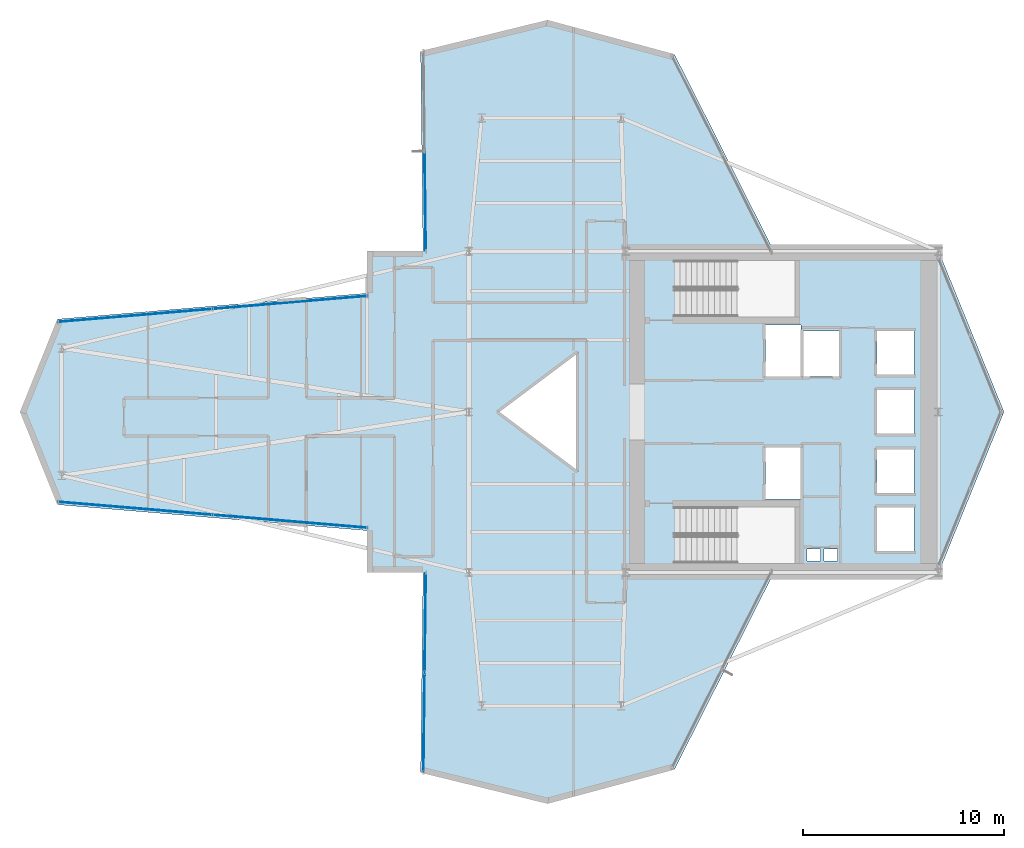
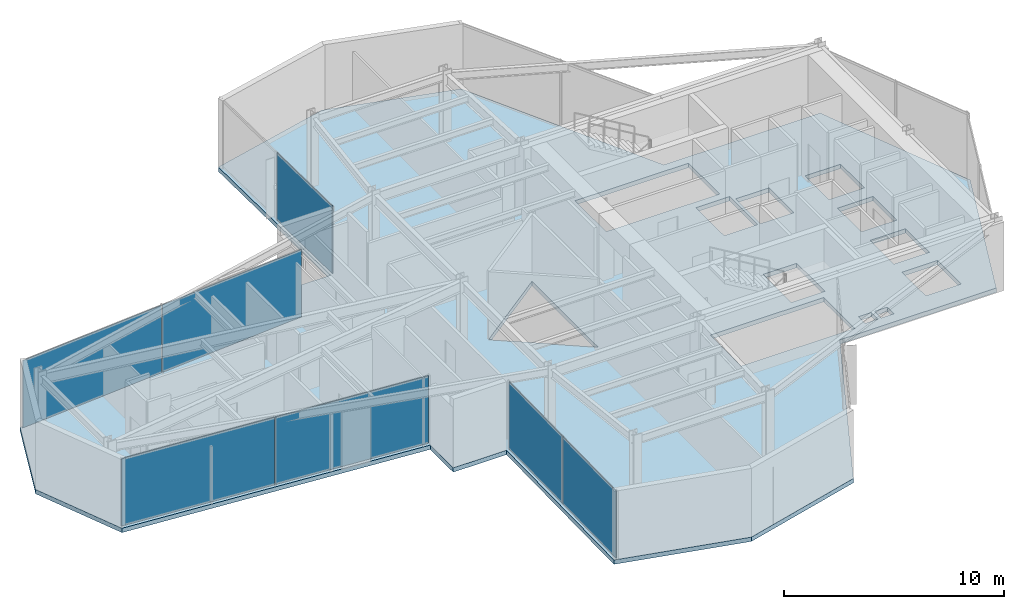
# One storey, part 20 of 25: 7 plates, 1 slab, 4 elements without a shape of their own.
"""IFC4 building model written with IfcOpenShell, lengths in metres."""

import ifcopenshell
import ifcopenshell.guid

model = None  # the IFC model being written
_history = None  # IfcOwnerHistory: only IFC2X3 demands one
_inside = {}  # id of a spatial element -> (the spatial element, [elements in it])
_under = {}  # id of a project, library or spatial element -> (it, [spatial elements below it])
_declared = {}  # id of a project -> (the project, [libraries it declares])
_typed = {}  # id of a type object -> (the type object, [elements of that type])
_made_of = {}  # id of a material, layer set ... -> (it, [elements and type objects made of it])


def new_model(schema):
    """Start an empty IFC model of exactly this schema.

    Asked for "IFC4X3", IfcOpenShell would pick the latest addendum, in which some entities
    have other attributes; the version numbers below select the first issue.
    IFC2X3 requires an IfcOwnerHistory on every rooted entity: one is made here for all.
    """
    global model, _history
    if schema == "IFC4X3":
        model = ifcopenshell.file(schema_version=(4, 3, 0, 0))
    else:
        model = ifcopenshell.file(schema=schema)
    _inside.clear()
    _under.clear()
    _declared.clear()
    _typed.clear()
    _made_of.clear()
    _history = None
    if model.schema == "IFC2X3":
        org = make("IfcOrganization", Name="unknown")
        user = make(
            "IfcPersonAndOrganization",
            ThePerson=make("IfcPerson", FamilyName="unknown"),
            TheOrganization=org,
        )
        app = make(
            "IfcApplication",
            ApplicationDeveloper=org,
            Version="unknown",
            ApplicationFullName="unknown",
            ApplicationIdentifier="unknown",
        )
        _history = make(
            "IfcOwnerHistory",
            OwningUser=user,
            OwningApplication=app,
            ChangeAction="ADDED",
            CreationDate=0,
        )
    return model


def make(cls, **values):
    """One entity of the class cls with the attributes given. An attribute that is None is left unset."""
    return model.create_entity(
        cls, **{name: value for name, value in values.items() if value is not None}
    )


def rooted(cls, **values):
    """An entity with a GlobalId (a new one), such as an element, a storey or a relation."""
    return make(cls, GlobalId=ifcopenshell.guid.new(), OwnerHistory=_history, **values)


def si_unit(unit_type, name, prefix=None):
    """IfcSIUnit, for example si_unit("LENGTHUNIT", "METRE", prefix="MILLI")."""
    return make("IfcSIUnit", UnitType=unit_type, Prefix=prefix, Name=name)


def assignment(units):
    """IfcUnitAssignment: the units of a project."""
    return None if units is None else make("IfcUnitAssignment", Units=units)


def point(xyz):
    """IfcCartesianPoint."""
    return None if xyz is None else make("IfcCartesianPoint", Coordinates=xyz)


def direction(xyz):
    """IfcDirection."""
    return None if xyz is None else make("IfcDirection", DirectionRatios=xyz)


def frame(location, z_axis=None, x_axis=None):
    """IfcAxis2Placement3D, a coordinate frame: its origin and axes. An axis left out is left unset."""
    return make(
        "IfcAxis2Placement3D",
        Location=point(location),
        Axis=direction(z_axis),
        RefDirection=direction(x_axis),
    )


def frame_2d(location, x_axis=None):
    """IfcAxis2Placement2D, a coordinate frame in the plane: its origin and x axis."""
    return make(
        "IfcAxis2Placement2D", Location=point(location), RefDirection=direction(x_axis)
    )


def origin():
    """The frame at (0, 0, 0) with its axes left unset."""
    return frame((0.0, 0.0, 0.0))


def origin_2d():
    """The frame at (0, 0) in the plane with its x axis left unset."""
    return frame_2d((0.0, 0.0))


def place(relative_to, where):
    """IfcLocalPlacement: puts the frame where relative to a parent placement (None: the world)."""
    return make(
        "IfcLocalPlacement", PlacementRelTo=relative_to, RelativePlacement=where
    )


def context(
    kind, dimensions, precision=None, world=None, true_north=None, identifier=None
):
    """IfcGeometricRepresentationContext, for example the 3D "Model" context."""
    return make(
        "IfcGeometricRepresentationContext",
        ContextIdentifier=identifier,
        ContextType=kind,
        CoordinateSpaceDimension=dimensions,
        Precision=precision,
        WorldCoordinateSystem=world,
        TrueNorth=true_north,
    )


def subcontext(parent, identifier, kind, view, scale=None):
    """IfcGeometricRepresentationSubContext, for example "Body" below "Model"."""
    return make(
        "IfcGeometricRepresentationSubContext",
        ContextIdentifier=identifier,
        ContextType=kind,
        ParentContext=parent,
        TargetScale=scale,
        TargetView=view,
    )


def project(units=None, contexts=None):
    """IfcProject with its units and contexts."""
    return rooted(
        "IfcProject",
        Name="project",
        RepresentationContexts=contexts,
        UnitsInContext=assignment(units),
    )


def spatial(cls, under=None, at=None, **own):
    """A site, building, storey or space (cls), placed at a placement, below another one or the project."""
    s = rooted(cls, ObjectPlacement=at, **own)
    if under is not None:
        _under.setdefault(under.id(), (under, []))[1].append(s)
    return s


def polyline(points):
    """IfcPolyline through the points."""
    return make("IfcPolyline", Points=[point(p) for p in points])


def profile(cls, at=None, kind="AREA", **sizes):
    """A parametric profile (cls). Its sizes go by their IFC names, for example OverallWidth=200.0."""
    return make(cls, ProfileType=kind, Position=at, **sizes)


def rectangle(**sizes):
    """IfcRectangleProfileDef."""
    return profile("IfcRectangleProfileDef", **sizes)


def outline(outer, holes=None, kind="AREA"):
    """IfcArbitraryClosedProfileDef: a profile drawn as a closed curve; with holes, ...WithVoids."""
    if holes is None:
        return make("IfcArbitraryClosedProfileDef", ProfileType=kind, OuterCurve=outer)
    return make(
        "IfcArbitraryProfileDefWithVoids",
        ProfileType=kind,
        OuterCurve=outer,
        InnerCurves=holes,
    )


def extrude(swept, where, along, depth):
    """IfcExtrudedAreaSolid: the profile swept, set in the frame where, extruded along a direction by depth."""
    return make(
        "IfcExtrudedAreaSolid",
        SweptArea=swept,
        Position=where,
        ExtrudedDirection=direction(along),
        Depth=depth,
    )


def shape(context_of_items, identifier, shape_type, items):
    """IfcShapeRepresentation: the items that make up one representation, for example the "Body"."""
    return make(
        "IfcShapeRepresentation",
        ContextOfItems=context_of_items,
        RepresentationIdentifier=identifier,
        RepresentationType=shape_type,
        Items=items,
    )


def material(Name=None, Category=None):
    """IfcMaterial."""
    return make("IfcMaterial", Name=Name, Category=Category)


def layer(
    of_material, thickness, ventilated=None, Name=None, Category=None, Priority=None
):
    """IfcMaterialLayer: one layer of a wall or slab, of a material (None: an air gap)."""
    return make(
        "IfcMaterialLayer",
        Material=of_material,
        LayerThickness=thickness,
        IsVentilated=ventilated,
        Name=Name,
        Category=Category,
        Priority=Priority,
    )


def layer_set(layers, Name=None):
    """IfcMaterialLayerSet."""
    return make("IfcMaterialLayerSet", MaterialLayers=layers, LayerSetName=Name)


def made_of(thing, what):
    """Note that an element or type object is made of a material, layer set ...; save() writes the relation."""
    if what is not None:
        _made_of.setdefault(what.id(), (what, []))[1].append(thing)
    return thing


def type_object(cls, material=None, **own):
    """A type object (cls), such as IfcWallType, which elements share."""
    return made_of(rooted(cls, **own), material)


def element(
    cls,
    number,
    at=None,
    inside=None,
    cuts=None,
    type_object=None,
    material=None,
    context=None,
    identifier="Body",
    shape_type=None,
    held_by="IfcProductDefinitionShape",
    body=None,
    shapes=None,
    **own,
):
    """One element of the class cls, such as IfcWall. Its Tag is "e" and its number.

    at: its placement. inside: the storey or other place that contains it. cuts: it is an
    opening in that element (IfcRelVoidsElement). A single representation is given by context,
    identifier, shape_type and body (its items); several are given by shapes. held_by: the class
    of the entity that holds the representations. save() writes the other relations.
    """
    e = rooted(cls, Tag="e%d" % number, ObjectPlacement=at, **own)
    if body is not None:
        shapes = [shape(context, identifier, shape_type, body)]
    if shapes is not None:
        e.Representation = make(held_by, Representations=shapes)
    if inside is not None:
        _inside.setdefault(inside.id(), (inside, []))[1].append(e)
    if cuts is not None:
        rooted(
            "IfcRelVoidsElement", RelatingBuildingElement=cuts, RelatedOpeningElement=e
        )
    if type_object is not None:
        _typed.setdefault(type_object.id(), (type_object, []))[1].append(e)
    return made_of(e, material)


def aggregate(whole, parts):
    """IfcRelAggregates: a whole, such as a stair, and the parts it consists of."""
    return rooted("IfcRelAggregates", RelatingObject=whole, RelatedObjects=parts)


def save(model, path):
    """Write the relations noted so far, then the file.

    IfcRelAggregates (storeys below a building ...), IfcRelContainedInSpatialStructure (elements
    in a storey), IfcRelDefinesByType, IfcRelAssociatesMaterial and IfcRelDeclares: one each for
    every whole, place, type object, material and project.
    """
    for whole, parts in _under.values():
        aggregate(whole, parts)
    for where, things in _inside.values():
        rooted(
            "IfcRelContainedInSpatialStructure",
            RelatedElements=things,
            RelatingStructure=where,
        )
    for kind, things in _typed.values():
        rooted("IfcRelDefinesByType", RelatedObjects=things, RelatingType=kind)
    for what, things in _made_of.values():
        rooted("IfcRelAssociatesMaterial", RelatedObjects=things, RelatingMaterial=what)
    for by, libraries in _declared.values():
        rooted("IfcRelDeclares", RelatingContext=by, RelatedDefinitions=libraries)
    model.write(path)


model = new_model("IFC4")

# Units and contexts
model_context = context("Model", 3, precision=1e-05, world=origin(), true_north=direction((0.0, 1.0)))
body_context = subcontext(model_context, "Body", "Model", "MODEL_VIEW")
ifc_project = project(units=[si_unit("LENGTHUNIT", "METRE"), si_unit("AREAUNIT", "SQUARE_METRE"), si_unit("VOLUMEUNIT", "CUBIC_METRE"), si_unit("PLANEANGLEUNIT", "RADIAN"), si_unit("MASSUNIT", "GRAM", prefix="KILO")], contexts=[model_context])

# Site, building, storey
site_placement = place(None, origin())
site = spatial("IfcSite", under=ifc_project, at=site_placement, CompositionType="ELEMENT")
building_placement = place(site_placement, origin())
building = spatial("IfcBuilding", under=site, at=building_placement, Name="Veymaron Broadcast Tower", CompositionType="ELEMENT")
storey_placement = place(building_placement, frame((0.0, 0.0, 129.0)))
storey = spatial("IfcBuildingStorey", under=building, at=storey_placement, Name="L29", CompositionType="ELEMENT", Elevation=129.0)

# Curtain wall, plate
ifc_material_1 = material(Name="Anodised aluminium AA 6063-T6 and laminated low-E dark glass", Category="aluminium")
ifc_layer_1 = layer(ifc_material_1, 0.179931640625)
ifc_layer_set_1 = layer_set([ifc_layer_1], Name="Anodised aluminium AA 6063-T6 and laminated low-E dark glass")
curtain_wall_type = type_object("IfcCurtainWallType", Name="CW-SYS-03", PredefinedType="NOTDEFINED", material=ifc_layer_set_1)
curtain_wall_1_placement = place(storey_placement, origin())
curtain_wall_1 = element("IfcCurtainWall", 1, at=curtain_wall_1_placement, inside=storey, type_object=curtain_wall_type, Name="L29 dark-glass curtain wall CW-L29-E8-1", PredefinedType="NOTDEFINED")
ifc_material_2 = material(Name="Insulated dark-anodised aluminium spandrel panel 40 mm", Category="aluminium")
ifc_layer_2 = layer(ifc_material_2, 0.0400390625)
ifc_layer_set_2 = layer_set([ifc_layer_2], Name="Insulated dark-anodised aluminium spandrel panel 40 mm")
plate_type = type_object("IfcPlateType", Name="CW-PNL-03", PredefinedType="CURTAIN_PANEL", material=ifc_layer_set_2)
plate_1_placement = place(storey_placement, frame((29.020263671875, 34.492919921875, 0.0400390625), z_axis=(0.0, 0.0, 1.0), x_axis=(0.012077384797, -0.999927065729, 0.0)))
plate_1 = element("IfcPlate", 2, at=plate_1_placement, type_object=plate_type, Name="CW-L29-E8-1 unitised curtain panel 1", PredefinedType="CURTAIN_PANEL", context=body_context, shape_type="SweptSolid", body=[
    extrude(rectangle(XDim=4.9228515625, YDim=0.0400390625, at=origin_2d()), origin(), (0.0, 0.0, 1.0), 3.72998046875),
])
aggregate(curtain_wall_1, [plate_1])

# Curtain wall, plates
curtain_wall_2_placement = place(storey_placement, origin())
curtain_wall_2 = element("IfcCurtainWall", 3, at=curtain_wall_2_placement, inside=storey, type_object=curtain_wall_type, Name="L29 dark-glass curtain wall CW-L29-E11-1", PredefinedType="NOTDEFINED")
plate_2_placement = place(storey_placement, frame((22.276611328125, 29.45166015625, 0.0400390625), z_axis=(0.0, 0.0, 1.0), x_axis=(-0.996507448611, -0.083503921245, 0.0)))
plate_2 = element("IfcPlate", 4, at=plate_2_placement, type_object=plate_type, Name="CW-L29-E11-1 unitised curtain panel 0", PredefinedType="CURTAIN_PANEL", context=body_context, shape_type="SweptSolid", body=[
    extrude(rectangle(XDim=7.677001953125, YDim=0.0400390625, at=origin_2d()), origin(), (0.0, 0.0, 1.0), 3.72998046875),
])
plate_3_placement = place(storey_placement, frame((14.566650390625, 28.8056640625, 0.0400390625), z_axis=(0.0, 0.0, 1.0), x_axis=(-0.996507448611, -0.083503921245, 0.0)))
plate_3 = element("IfcPlate", 5, at=plate_3_placement, type_object=plate_type, Name="CW-L29-E11-1 unitised curtain panel 1", PredefinedType="CURTAIN_PANEL", context=body_context, shape_type="SweptSolid", body=[
    extrude(rectangle(XDim=7.677001953125, YDim=0.0400390625, at=origin_2d()), origin(), (0.0, 0.0, 1.0), 3.72998046875),
])
aggregate(curtain_wall_2, [plate_2, plate_3])

curtain_wall_3_placement = place(storey_placement, origin())
curtain_wall_3 = element("IfcCurtainWall", 6, at=curtain_wall_3_placement, inside=storey, type_object=curtain_wall_type, Name="L29 dark-glass curtain wall CW-L29-E14-1", PredefinedType="NOTDEFINED")
plate_4_placement = place(storey_placement, frame((14.566650390625, 19.1943359375, 0.0400390625), z_axis=(0.0, 0.0, 1.0), x_axis=(0.996507448611, -0.083503921245, 0.0)))
plate_4 = element("IfcPlate", 7, at=plate_4_placement, type_object=plate_type, Name="CW-L29-E14-1 unitised curtain panel 0", PredefinedType="CURTAIN_PANEL", context=body_context, shape_type="SweptSolid", body=[
    extrude(rectangle(XDim=7.677001953125, YDim=0.0400390625, at=origin_2d()), origin(), (0.0, 0.0, 1.0), 3.72998046875),
])
plate_5_placement = place(storey_placement, frame((22.276611328125, 18.54833984375, 0.0400390625), z_axis=(0.0, 0.0, 1.0), x_axis=(0.996507448611, -0.083503921245, 0.0)))
plate_5 = element("IfcPlate", 8, at=plate_5_placement, type_object=plate_type, Name="CW-L29-E14-1 unitised curtain panel 1", PredefinedType="CURTAIN_PANEL", context=body_context, shape_type="SweptSolid", body=[
    extrude(rectangle(XDim=7.677001953125, YDim=0.0400390625, at=origin_2d()), origin(), (0.0, 0.0, 1.0), 3.72998046875),
])
aggregate(curtain_wall_3, [plate_4, plate_5])

curtain_wall_4_placement = place(storey_placement, origin())
curtain_wall_4 = element("IfcCurtainWall", 9, at=curtain_wall_4_placement, inside=storey, type_object=curtain_wall_type, Name="L29 dark-glass curtain wall CW-L29-E17-1", PredefinedType="NOTDEFINED")
plate_6_placement = place(storey_placement, frame((29.020263671875, 13.507080078125, 0.0400390625), z_axis=(0.0, 0.0, 1.0), x_axis=(-0.012077384797, -0.999927065729, 0.0)))
plate_6 = element("IfcPlate", 10, at=plate_6_placement, type_object=plate_type, Name="CW-L29-E17-1 unitised curtain panel 0", PredefinedType="CURTAIN_PANEL", context=body_context, shape_type="SweptSolid", body=[
    extrude(rectangle(XDim=4.9228515625, YDim=0.0400390625, at=origin_2d()), origin(), (0.0, 0.0, 1.0), 3.72998046875),
])
plate_7_placement = place(storey_placement, frame((28.960205078125, 8.524658203125, 0.0400390625), z_axis=(0.0, 0.0, 1.0), x_axis=(-0.012077384797, -0.999927065729, 0.0)))
plate_7 = element("IfcPlate", 11, at=plate_7_placement, type_object=plate_type, Name="CW-L29-E17-1 unitised curtain panel 1", PredefinedType="CURTAIN_PANEL", context=body_context, shape_type="SweptSolid", body=[
    extrude(rectangle(XDim=4.9228515625, YDim=0.0400390625, at=origin_2d()), origin(), (0.0, 0.0, 1.0), 3.72998046875),
])
aggregate(curtain_wall_4, [plate_6, plate_7])

# Slab
ifc_material_3 = material(Name="Concrete C40/50", Category="concrete")
ifc_layer_3 = layer(ifc_material_3, 0.239990234375)
ifc_layer_set_3 = layer_set([ifc_layer_3], Name="Concrete C40/50")
slab_type = type_object("IfcSlabType", Name="SLAB-FS6", PredefinedType="FLOOR", material=ifc_layer_set_3)
slab_placement = place(storey_placement, frame((0.0, 0.0, -0.239990234375)))
element("IfcSlab", 12, at=slab_placement, inside=storey, type_object=slab_type, Name="L29 structural floor slab", PredefinedType="FLOOR", context=body_context, shape_type="SweptSolid", body=[
    extrude(outline(polyline([(46.39599609375, 16.0), (54.60009765625, 16.0), (57.85498046875, 24.0), (54.60009765625, 32.0), (46.39599609375, 32.0), (41.43994140625, 41.81005859375), (35.114990234375, 43.514892578125), (28.7900390625, 41.965087890625), (28.910400390625, 32.0), (26.1201171875, 32.0), (26.1201171875, 29.914306640625), (10.699951171875, 28.6220703125), (8.840087890625, 24.0), (10.699951171875, 19.3779296875), (26.1201171875, 18.085693359375), (26.1201171875, 16.0), (28.910400390625, 16.0), (28.7900390625, 6.034912109375), (35.114990234375, 4.485107421875), (41.43994140625, 6.18994140625), (46.39599609375, 16.0)]), holes=[polyline([(45.969970703125, 28.330078125), (47.72998046875, 28.330078125), (47.72998046875, 25.77001953125), (45.969970703125, 25.77001953125), (45.969970703125, 28.330078125)]), polyline([(45.969970703125, 22.22998046875), (47.72998046875, 22.22998046875), (47.72998046875, 19.669921875), (45.969970703125, 19.669921875), (45.969970703125, 22.22998046875)]), polyline([(47.8701171875, 28.030029296875), (49.6298828125, 28.030029296875), (49.6298828125, 25.77001953125), (47.8701171875, 25.77001953125), (47.8701171875, 28.030029296875)]), polyline([(51.52001953125, 28.030029296875), (53.3798828125, 28.030029296875), (53.3798828125, 25.8701171875), (51.52001953125, 25.8701171875), (51.52001953125, 28.030029296875)]), polyline([(51.52001953125, 22.1298828125), (53.3798828125, 22.1298828125), (53.3798828125, 19.969970703125), (51.52001953125, 19.969970703125), (51.52001953125, 22.1298828125)]), polyline([(51.52001953125, 25.080078125), (53.3798828125, 25.080078125), (53.3798828125, 22.919921875), (51.52001953125, 22.919921875), (51.52001953125, 25.080078125)]), polyline([(51.52001953125, 19.22998046875), (53.3798828125, 19.22998046875), (53.3798828125, 17.070068359375), (51.52001953125, 17.070068359375), (51.52001953125, 19.22998046875)]), polyline([(48.050048828125, 17.159912109375), (48.719970703125, 17.159912109375), (48.719970703125, 16.56005859375), (48.050048828125, 16.56005859375), (48.050048828125, 17.159912109375)]), polyline([(48.8798828125, 17.159912109375), (49.550048828125, 17.159912109375), (49.550048828125, 16.56005859375), (48.8798828125, 16.56005859375), (48.8798828125, 17.159912109375)]), polyline([(36.60009765625, 27.0), (36.60009765625, 21.0), (32.60009765625, 24.0), (36.60009765625, 27.0)]), polyline([(41.489990234375, 31.550048828125), (47.43994140625, 31.550048828125), (47.43994140625, 28.72998046875), (41.489990234375, 28.72998046875), (41.489990234375, 31.550048828125)]), polyline([(41.489990234375, 19.27001953125), (47.43994140625, 19.27001953125), (47.43994140625, 16.449951171875), (41.489990234375, 16.449951171875), (41.489990234375, 19.27001953125)])]), origin(), (0.0, 0.0, 1.0), 0.239990234375),
])

save(model, "model.ifc")
